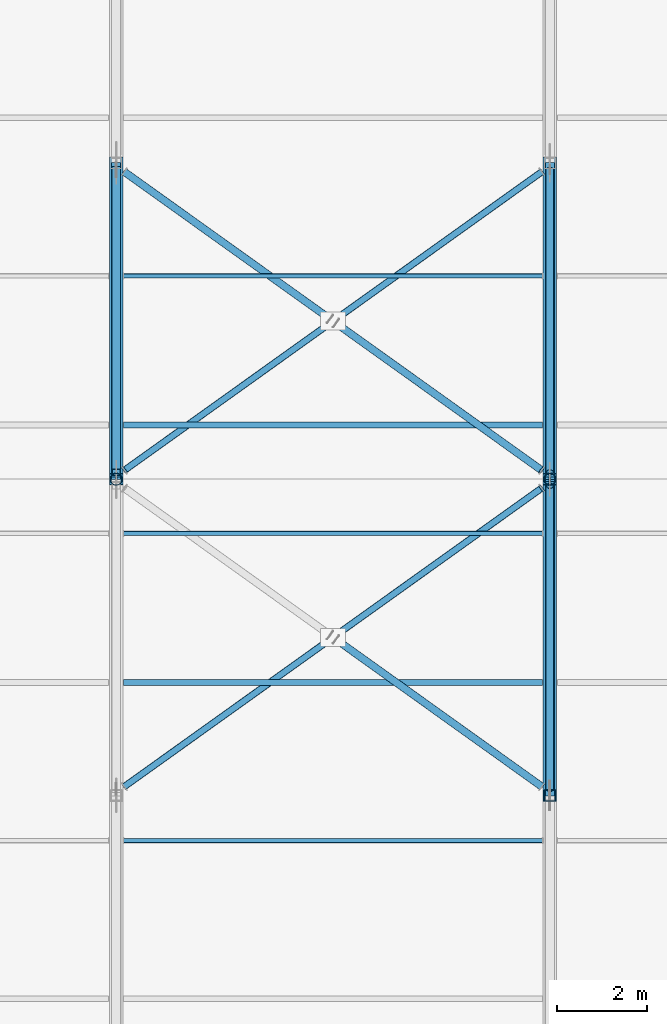
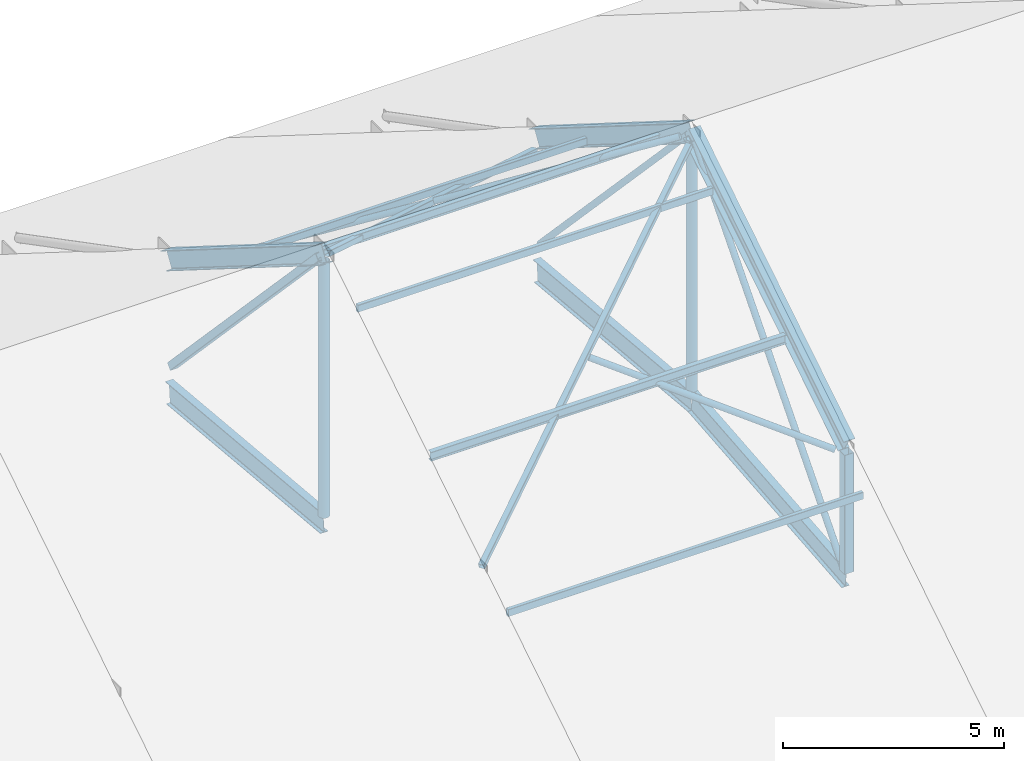
# One storey, part 7 of 66: 19 members, 3 beams.
"""IFC4 building model written with IfcOpenShell, lengths in metres."""

from ifc_helpers import new_model, si_unit, direction, frame, origin, origin_2d, place, context, subcontext, project, spatial, hollow_rectangle, hollow_circle, i_section, extrude, material, material_profile, profile_set, type_object, element, save


model = new_model("IFC4")

# Units and contexts
model_context = context("Model", 3, precision=1e-05, world=origin(), true_north=direction((0.0, 1.0)))
body_context = subcontext(model_context, "Body", "Model", "MODEL_VIEW")
ifc_project = project(units=[si_unit("LENGTHUNIT", "METRE"), si_unit("AREAUNIT", "SQUARE_METRE"), si_unit("VOLUMEUNIT", "CUBIC_METRE"), si_unit("PLANEANGLEUNIT", "RADIAN"), si_unit("MASSUNIT", "GRAM", prefix="KILO")], contexts=[model_context])

# Site, building, storey
site_placement = place(None, origin())
site = spatial("IfcSite", under=ifc_project, at=site_placement, CompositionType="ELEMENT")
building_placement = place(site_placement, origin())
building = spatial("IfcBuilding", under=site, at=building_placement, Name="Yeouljin Market Hall", CompositionType="ELEMENT")
storey_placement = place(building_placement, frame((0.0, 0.0, 23.39990234375)))
storey = spatial("IfcBuildingStorey", under=building, at=storey_placement, Name="RF", CompositionType="ELEMENT", Elevation=23.39990234375)

# Beams
ifc_material_1 = material(Name="Steel SM355", Category="steel")
ifc_material_profile_1 = material_profile(ifc_material_1, i_section(OverallWidth=0.199951171875, OverallDepth=0.60009765625, WebThickness=0.010986328125, FlangeThickness=0.01708984375, FilletRadius=0.02197265625, at=origin_2d()), Name="H-600x200x11x17")
ifc_profile_set_1 = profile_set([ifc_material_profile_1], Name="Steel SM355")
beam_type = type_object("IfcBeamType", Name="Beam_H-600x200x11x17", PredefinedType="BEAM", material=ifc_profile_set_1)
for number, where, z_axis, x_axis, name in (
    (1, (83.39990234375, 57.02001953125, -6.5), (0.0, 0.995742692808, -0.092176405441), (-1.0, 0.0, 0.0), "Truss AT-06 arch rib 4"),
    (2, (93.0, 50.02001953125, -7.144287109375), (0.0, 0.995742692808, 0.092176405441), (-1.0, 0.0, 0.0), "Truss AT-07 arch rib 3"),
    (3, (93.0, 57.02001953125, -6.5), (0.0, 0.995742692808, -0.092176405441), (-1.0, 0.0, 0.0), "Truss AT-07 arch rib 4"),
):
    element("IfcBeam", number, at=place(storey_placement, frame(where, z_axis=z_axis, x_axis=x_axis)), inside=storey, type_object=beam_type, Name=name, PredefinedType="BEAM", context=body_context, shape_type="SweptSolid", body=[
        extrude(i_section(OverallWidth=0.199951171875, OverallDepth=0.60009765625, WebThickness=0.010986328125, FlangeThickness=0.01708984375, FilletRadius=0.02197265625, at=origin_2d()), origin(), (0.0, 0.0, 1.0), 6.98974609375),
    ])

# Members
ifc_material_2 = material(Name="Steel SS275", Category="steel")
ifc_material_profile_2 = material_profile(ifc_material_2, hollow_circle(Radius=0.08251953125, WallThickness=0.006103515625, at=origin_2d()), Name="CHS-165.2x6")
ifc_profile_set_2 = profile_set([ifc_material_profile_2], Name="Steel SS275")
member_type_1 = type_object("IfcMemberType", Name="Brace_CHS-165.2x6", PredefinedType="BRACE", material=ifc_profile_set_2)
member_1_placement = place(storey_placement, frame((93.0, 50.144287109375, -6.978271484375), z_axis=(0.0, 0.656456540155, 0.754363845162), x_axis=(-1.0, 0.0, 0.0)))
element("IfcMember", 4, at=member_1_placement, inside=storey, type_object=member_type_1, Name="Truss AT-07 web diagonal 3", PredefinedType="BRACE", context=body_context, shape_type="SweptSolid", body=[
    extrude(hollow_circle(Radius=0.08251953125, WallThickness=0.006103515625, at=origin_2d()), origin(), (0.0, 0.0, 1.0), 10.2236328125),
])
member_2_placement = place(storey_placement, frame((93.0, 57.151123046875, 0.740234375), z_axis=(0.0, 0.687208071692, -0.726460643257), x_axis=(-1.0, 0.0, 0.0)))
element("IfcMember", 5, at=member_2_placement, inside=storey, type_object=member_type_1, Name="Truss AT-07 web diagonal 4", PredefinedType="BRACE", context=body_context, shape_type="SweptSolid", body=[
    extrude(hollow_circle(Radius=0.08251953125, WallThickness=0.006103515625, at=origin_2d()), origin(), (0.0, 0.0, 1.0), 9.746337890625),
])
for number, where, z_axis, x_axis, name in (
    (6, (88.27197265625, 53.448486328125, -1.514404296875), (0.75834614511, -0.542386250636, -0.361563658736), (0.581742638164, 0.813372917512, 0.0), "Roof wind brace 005B2"),
    (7, (83.5859375, 63.800048828125, -3.679931640625), (0.75834614511, -0.542386250636, 0.361563658736), (0.581742638164, 0.813372917512, 0.0), "Roof wind brace 006B1"),
):
    element("IfcMember", number, at=place(storey_placement, frame(where, z_axis=z_axis, x_axis=x_axis)), inside=storey, type_object=member_type_1, Name=name, PredefinedType="BRACE", context=body_context, shape_type="SweptSolid", body=[
        extrude(hollow_circle(Radius=0.08251953125, WallThickness=0.006103515625, at=origin_2d()), origin(), (0.0, 0.0, 1.0), 5.9892578125),
    ])
member_3_placement = place(storey_placement, frame((88.27197265625, 60.448486328125, -1.445556640625), z_axis=(0.758334968032, -0.542378256538, 0.361599091669), x_axis=(0.581742638164, 0.813372917512, 0.0)))
element("IfcMember", 8, at=member_3_placement, inside=storey, type_object=member_type_1, Name="Roof wind brace 006B2", PredefinedType="BRACE", context=body_context, shape_type="SweptSolid", body=[
    extrude(hollow_circle(Radius=0.08251953125, WallThickness=0.006103515625, at=origin_2d()), origin(), (0.0, 0.0, 1.0), 5.989501953125),
])
ifc_material_3 = material(Name="Steel SS275", Category="steel")
ifc_material_profile_3 = material_profile(ifc_material_3, hollow_rectangle(XDim=0.14990234375, YDim=0.14990234375, WallThickness=0.006103515625, InnerFilletRadius=0.006103515625, OuterFilletRadius=0.011962890625, at=origin_2d()), Name="SHS-150x150x6")
ifc_profile_set_3 = profile_set([ifc_material_profile_3], Name="Steel SS275")
member_type_2 = type_object("IfcMemberType", Name="Brace_SHS-150x150x6", PredefinedType="BRACE", material=ifc_profile_set_3)
for number, where, z_axis, x_axis, name in (
    (9, (83.5859375, 50.199951171875, -3.679931640625), (0.758336637045, 0.542379825543, 0.361593237988), (-0.581742904466, 0.813372727047, 0.0), "Roof wind brace 005A"),
    (10, (83.5859375, 57.199951171875, 0.72021484375), (0.758336637045, 0.542379825543, -0.361593237988), (-0.581742904466, 0.813372727047, 0.0), "Roof wind brace 006A"),
):
    element("IfcMember", number, at=place(storey_placement, frame(where, z_axis=z_axis, x_axis=x_axis)), inside=storey, type_object=member_type_2, Name=name, PredefinedType="BRACE", context=body_context, shape_type="SweptSolid", body=[
        extrude(hollow_rectangle(XDim=0.14990234375, YDim=0.14990234375, WallThickness=0.006103515625, InnerFilletRadius=0.006103515625, OuterFilletRadius=0.011962890625, at=origin_2d()), origin(), (0.0, 0.0, 1.0), 12.168701171875),
    ])
ifc_material_4 = material(Name="Steel SM355", Category="steel")
ifc_material_profile_4 = material_profile(ifc_material_4, hollow_rectangle(XDim=0.199951171875, YDim=0.199951171875, WallThickness=0.008056640625, InnerFilletRadius=0.008056640625, OuterFilletRadius=0.01611328125, at=origin_2d()), Name="SHS-200x200x8")
ifc_profile_set_4 = profile_set([ifc_material_profile_4], Name="Steel SM355")
member_type_3 = type_object("IfcMemberType", Name="Brace_SHS-200x200x8", PredefinedType="BRACE", material=ifc_profile_set_4)
member_4_placement = place(storey_placement, frame((83.39990234375, 57.151123046875, 0.740234375), z_axis=(0.0, 0.687208071692, -0.726460643257), x_axis=(-1.0, 0.0, 0.0)))
element("IfcMember", 11, at=member_4_placement, inside=storey, type_object=member_type_3, Name="Truss AT-06 web diagonal 4", PredefinedType="BRACE", context=body_context, shape_type="SweptSolid", body=[
    extrude(hollow_rectangle(XDim=0.199951171875, YDim=0.199951171875, WallThickness=0.008056640625, InnerFilletRadius=0.008056640625, OuterFilletRadius=0.01611328125, at=origin_2d()), origin(), (0.0, 0.0, 1.0), 9.746337890625),
])
ifc_material_5 = material(Name="Steel SM355", Category="steel")
ifc_material_profile_5 = material_profile(ifc_material_5, i_section(OverallWidth=0.300048828125, OverallDepth=0.488037109375, WebThickness=0.010986328125, FlangeThickness=0.01806640625, FilletRadius=0.02197265625, at=origin_2d()), Name="H-488x300x11x18")
ifc_profile_set_5 = profile_set([ifc_material_profile_5], Name="Steel SM355")
member_type_4 = type_object("IfcMemberType", Name="Chord_H-488x300x11x18", PredefinedType="CHORD", material=ifc_profile_set_5)
for number, where, z_axis, x_axis, name in (
    (12, (83.39990234375, 57.0, 0.900146484375), (0.0, 0.846628566691, -0.532184244471), (-1.0, 0.0, 0.0), "Truss AT-06 top chord 4"),
    (13, (93.0, 50.0, -3.5), (0.0, 0.846628566691, 0.532184244471), (-1.0, 0.0, 0.0), "Truss AT-07 top chord 3"),
    (14, (93.0, 57.0, 0.900146484375), (0.0, 0.846628566691, -0.532184244471), (-1.0, 0.0, 0.0), "Truss AT-07 top chord 4"),
):
    element("IfcMember", number, at=place(storey_placement, frame(where, z_axis=z_axis, x_axis=x_axis)), inside=storey, type_object=member_type_4, Name=name, PredefinedType="CHORD", context=body_context, shape_type="SweptSolid", body=[
        extrude(i_section(OverallWidth=0.300048828125, OverallDepth=0.488037109375, WebThickness=0.010986328125, FlangeThickness=0.01806640625, FilletRadius=0.02197265625, at=origin_2d()), origin(), (0.0, 0.0, 1.0), 8.26806640625),
    ])
ifc_material_6 = material(Name="Steel SM355", Category="steel")
ifc_material_profile_6 = material_profile(ifc_material_6, i_section(OverallWidth=0.125, OverallDepth=0.25, WebThickness=0.006103515625, FlangeThickness=0.009033203125, FilletRadius=0.011962890625, at=origin_2d()), Name="H-250x125x6x9")
ifc_profile_set_6 = profile_set([ifc_material_profile_6], Name="Steel SM355")
member_type_5 = type_object("IfcMemberType", Name="Purlin_H-250x125x6x9", PredefinedType="PURLIN", material=ifc_profile_set_6)
for number, where, z_axis, x_axis, name in (
    (15, (83.56591796875, 52.5, -2.008544921875), (1.0, 0.0, 0.0), (0.0, 1.0, 0.0), "Nave roof purlin 065"),
    (16, (83.56591796875, 58.199951171875, 0.06591796875), (1.0, 0.0, 0.0), (0.0, 1.0, 0.0), "Nave roof purlin 067"),
):
    element("IfcMember", number, at=place(storey_placement, frame(where, z_axis=z_axis, x_axis=x_axis)), inside=storey, type_object=member_type_5, Name=name, PredefinedType="PURLIN", context=body_context, shape_type="SweptSolid", body=[
        extrude(i_section(OverallWidth=0.125, OverallDepth=0.25, WebThickness=0.006103515625, FlangeThickness=0.009033203125, FilletRadius=0.011962890625, at=origin_2d()), origin(), (0.0, 0.0, 1.0), 9.26806640625),
    ])
ifc_material_7 = material(Name="Steel SS275", Category="steel")
ifc_material_profile_7 = material_profile(ifc_material_7, hollow_rectangle(XDim=0.10009765625, YDim=0.199951171875, WallThickness=0.006103515625, InnerFilletRadius=0.006103515625, OuterFilletRadius=0.011962890625, at=origin_2d()), Name="RHS-200x100x6")
ifc_profile_set_7 = profile_set([ifc_material_profile_7], Name="Steel SS275")
member_type_6 = type_object("IfcMemberType", Name="Purlin_RHS-200x100x6", PredefinedType="PURLIN", material=ifc_profile_set_7)
for number, where, z_axis, x_axis, name in (
    (17, (83.56591796875, 49.0, -4.20849609375), (1.0, 0.0, 0.0), (0.0, 1.0, 0.0), "Nave roof purlin 064"),
    (18, (83.56591796875, 55.800048828125, 0.06591796875), (1.0, 0.0, 0.0), (0.0, 1.0, 0.0), "Nave roof purlin 066"),
    (19, (83.56591796875, 61.5, -2.008544921875), (1.0, 0.0, 0.0), (0.0, 1.0, 0.0), "Nave roof purlin 068"),
):
    element("IfcMember", number, at=place(storey_placement, frame(where, z_axis=z_axis, x_axis=x_axis)), inside=storey, type_object=member_type_6, Name=name, PredefinedType="PURLIN", context=body_context, shape_type="SweptSolid", body=[
        extrude(hollow_rectangle(XDim=0.10009765625, YDim=0.199951171875, WallThickness=0.006103515625, InnerFilletRadius=0.006103515625, OuterFilletRadius=0.011962890625, at=origin_2d()), origin(), (0.0, 0.0, 1.0), 9.26806640625),
    ])
ifc_material_8 = material(Name="Steel SM355", Category="steel")
ifc_material_profile_8 = material_profile(ifc_material_8, hollow_circle(Radius=0.1337890625, WallThickness=0.009033203125, at=origin_2d()), Name="CHS-267.4x9")
ifc_profile_set_8 = profile_set([ifc_material_profile_8], Name="Steel SM355")
member_type_7 = type_object("IfcMemberType", Name="Strut_CHS-267.4x9", PredefinedType="STRUT", material=ifc_profile_set_8)
for number, where, z_axis, x_axis, name in (
    (20, (83.39990234375, 57.0, -6.31982421875), (0.0, 0.0, 1.0), (1.0, 0.0, 0.0), "Truss AT-06 vertical strut 3"),
    (21, (93.0, 57.0, -6.31982421875), (0.0, 0.0, 1.0), (1.0, 0.0, 0.0), "Truss AT-07 vertical strut 3"),
):
    element("IfcMember", number, at=place(storey_placement, frame(where, z_axis=z_axis, x_axis=x_axis)), inside=storey, type_object=member_type_7, Name=name, PredefinedType="STRUT", context=body_context, shape_type="SweptSolid", body=[
        extrude(hollow_circle(Radius=0.1337890625, WallThickness=0.009033203125, at=origin_2d()), origin(), (0.0, 0.0, 1.0), 7.0400390625),
    ])
ifc_material_9 = material(Name="Steel SM355", Category="steel")
ifc_material_profile_9 = material_profile(ifc_material_9, hollow_rectangle(XDim=0.25, YDim=0.25, WallThickness=0.009033203125, InnerFilletRadius=0.009033203125, OuterFilletRadius=0.01611328125, at=origin_2d()), Name="SHS-250x250x9")
ifc_profile_set_9 = profile_set([ifc_material_profile_9], Name="Steel SM355")
member_type_8 = type_object("IfcMemberType", Name="Strut_SHS-250x250x9", PredefinedType="STRUT", material=ifc_profile_set_9)
member_5_placement = place(storey_placement, frame((93.0, 50.0, -6.96435546875), z_axis=(0.0, 0.0, 1.0), x_axis=(1.0, 0.0, 0.0)))
element("IfcMember", 22, at=member_5_placement, inside=storey, type_object=member_type_8, Name="Truss AT-07 vertical strut 2", PredefinedType="STRUT", context=body_context, shape_type="SweptSolid", body=[
    extrude(hollow_rectangle(XDim=0.25, YDim=0.25, WallThickness=0.009033203125, InnerFilletRadius=0.009033203125, OuterFilletRadius=0.01611328125, at=origin_2d()), origin(), (0.0, 0.0, 1.0), 3.284423828125),
])

save(model, "model.ifc")
